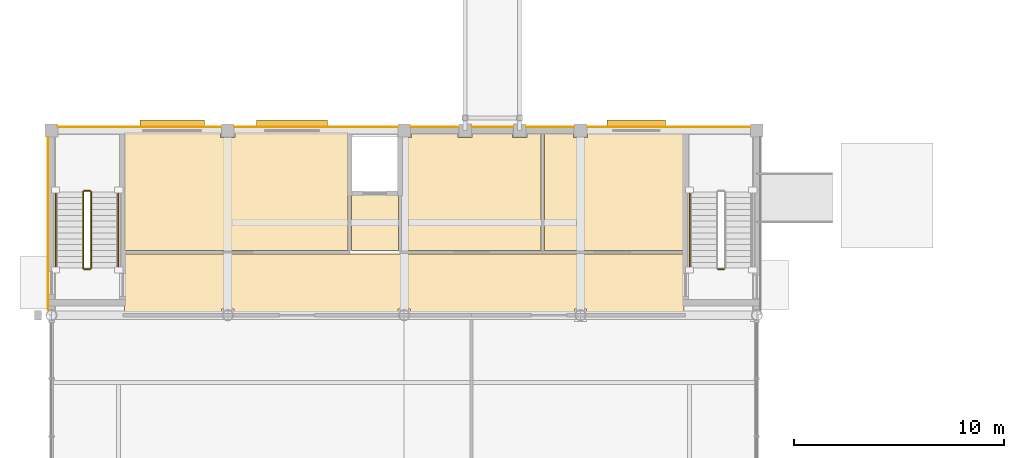
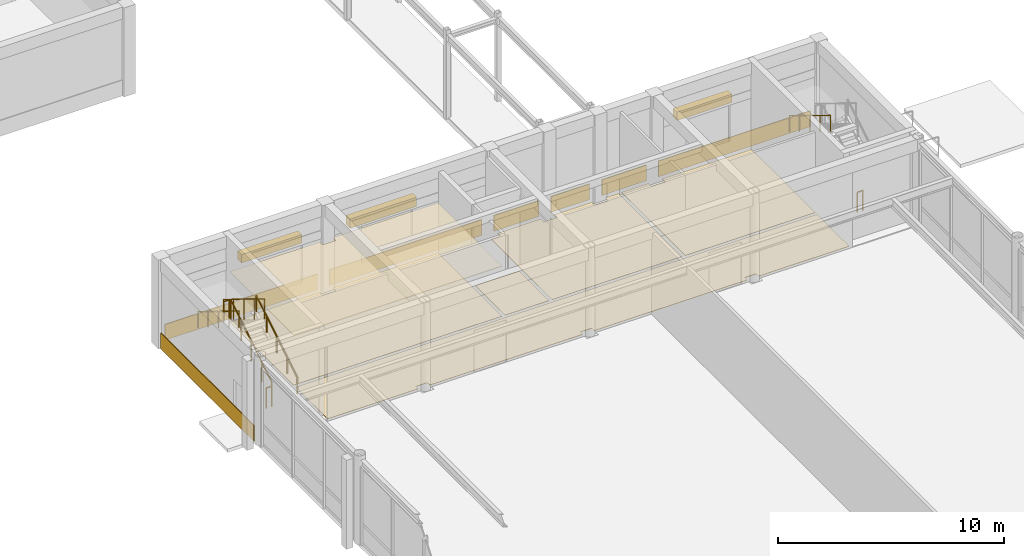
# One storey, part 45 of 58: 13 coverings, 8 railings, 3 shading devices.
"""IFC4 building model written with IfcOpenShell, lengths in metres."""

from ifc_helpers import new_model, si_unit, direction, frame, origin, origin_2d, place, context, subcontext, project, spatial, polyline, rectangle, circle, outline, extrude, material, layer, layer_set, type_object, element, save


model = new_model("IFC4")

# Units and contexts
model_context = context("Model", 3, precision=1e-05, world=origin(), true_north=direction((0.0, 1.0)))
body_context = subcontext(model_context, "Body", "Model", "MODEL_VIEW")
ifc_project = project(units=[si_unit("LENGTHUNIT", "METRE"), si_unit("AREAUNIT", "SQUARE_METRE"), si_unit("VOLUMEUNIT", "CUBIC_METRE"), si_unit("PLANEANGLEUNIT", "RADIAN"), si_unit("MASSUNIT", "GRAM", prefix="KILO")], contexts=[model_context])

# Site, building, storey
site_placement = place(None, origin())
site = spatial("IfcSite", under=ifc_project, at=site_placement, CompositionType="ELEMENT")
building_placement = place(site_placement, origin())
building = spatial("IfcBuilding", under=site, at=building_placement, Name="Kemercrest Conservatory and Botanical Centre", CompositionType="ELEMENT")
storey_placement = place(building_placement, origin())
storey = spatial("IfcBuildingStorey", under=building, at=storey_placement, Name="L00", CompositionType="ELEMENT", Elevation=0.0)

# Coverings
ifc_material_1 = material(Name="Honed limestone almasik ashlar rainscreen", Category="masonry")
ifc_layer_1 = layer(ifc_material_1, 0.0400390625)
ifc_layer_set_1 = layer_set([ifc_layer_1], Name="Honed limestone almasik ashlar rainscreen")
covering_type_1 = type_object("IfcCoveringType", Name="CV-CLD040", PredefinedType="CLADDING", material=ifc_layer_set_1)
covering_1_placement = place(storey_placement, origin())
element("IfcCovering", 1, at=covering_1_placement, inside=storey, type_object=covering_type_1, Name="Exterior stone spandrel cladding (WAL:L00:EXT-007)", PredefinedType="CLADDING", context=body_context, shape_type="SweptSolid", body=[
    extrude(outline(polyline([(41.2900390625, 60.949951171875), (41.2900390625, 60.989990234375), (33.510009765625, 60.989990234375), (33.510009765625, 60.949951171875), (41.2900390625, 60.949951171875)])), origin(), (0.0, 0.0, 1.0), 0.85009765625),
])
covering_2_placement = place(storey_placement, origin())
element("IfcCovering", 2, at=covering_2_placement, inside=storey, type_object=covering_type_1, Name="Exterior stone spandrel cladding (WAL:L00:EXT-008-S1)", PredefinedType="CLADDING", context=body_context, shape_type="SweptSolid", body=[
    extrude(outline(polyline([(32.889892578125, 60.949951171875), (32.889892578125, 60.989990234375), (30.610107421875, 60.989990234375), (30.610107421875, 60.949951171875), (32.889892578125, 60.949951171875)])), origin(), (0.0, 0.0, 1.0), 0.85009765625),
])
covering_3_placement = place(storey_placement, origin())
element("IfcCovering", 3, at=covering_3_placement, inside=storey, type_object=covering_type_1, Name="Exterior stone spandrel cladding (WAL:L00:EXT-008-S2)", PredefinedType="CLADDING", context=body_context, shape_type="SweptSolid", body=[
    extrude(outline(polyline([(29.989990234375, 60.949951171875), (29.989990234375, 60.989990234375), (28.010009765625, 60.989990234375), (28.010009765625, 60.949951171875), (29.989990234375, 60.949951171875)])), origin(), (0.0, 0.0, 1.0), 0.85009765625),
])
covering_4_placement = place(storey_placement, origin())
element("IfcCovering", 4, at=covering_4_placement, inside=storey, type_object=covering_type_1, Name="Exterior stone spandrel cladding (WAL:L00:EXT-008-S3)", PredefinedType="CLADDING", context=body_context, shape_type="SweptSolid", body=[
    extrude(outline(polyline([(27.389892578125, 60.949951171875), (27.389892578125, 60.989990234375), (25.110107421875, 60.989990234375), (25.110107421875, 60.949951171875), (27.389892578125, 60.949951171875)])), origin(), (0.0, 0.0, 1.0), 0.85009765625),
])
covering_5_placement = place(storey_placement, origin())
element("IfcCovering", 5, at=covering_5_placement, inside=storey, type_object=covering_type_1, Name="Exterior stone spandrel cladding (WAL:L00:EXT-009)", PredefinedType="CLADDING", context=body_context, shape_type="SweptSolid", body=[
    extrude(outline(polyline([(24.489990234375, 60.949951171875), (24.489990234375, 60.989990234375), (16.7099609375, 60.989990234375), (16.7099609375, 60.949951171875), (24.489990234375, 60.949951171875)])), origin(), (0.0, 0.0, 1.0), 0.85009765625),
])
covering_6_placement = place(storey_placement, origin())
element("IfcCovering", 6, at=covering_6_placement, inside=storey, type_object=covering_type_1, Name="Exterior stone spandrel cladding (WAL:L00:EXT-010)", PredefinedType="CLADDING", context=body_context, shape_type="SweptSolid", body=[
    extrude(outline(polyline([(16.090087890625, 60.949951171875), (16.090087890625, 60.989990234375), (8.31005859375, 60.989990234375), (8.31005859375, 60.949951171875), (16.090087890625, 60.949951171875)])), origin(), (0.0, 0.0, 1.0), 0.85009765625),
])
covering_7_placement = place(storey_placement, origin())
element("IfcCovering", 7, at=covering_7_placement, inside=storey, type_object=covering_type_1, Name="Exterior stone spandrel cladding (WAL:L00:EXT-011)", PredefinedType="CLADDING", context=body_context, shape_type="SweptSolid", body=[
    extrude(outline(polyline([(7.85009765625, 60.489990234375), (7.81005859375, 60.489990234375), (7.81005859375, 52.263916015625), (7.85009765625, 52.263916015625), (7.85009765625, 60.489990234375)])), origin(), (0.0, 0.0, 1.0), 0.85009765625),
])
ifc_material_2 = material(Name="Perforated acoustic gypsum and mineral-fibre suspended ceiling", Category="gypsum")
ifc_layer_2 = layer(ifc_material_2, 0.034912109375)
ifc_layer_set_2 = layer_set([ifc_layer_2], Name="Perforated acoustic gypsum and mineral-fibre suspended ceiling")
covering_type_2 = type_object("IfcCoveringType", Name="CV-CLG035", PredefinedType="CEILING", material=ifc_layer_set_2)
covering_8_placement = place(storey_placement, frame((0.0, 0.0, 2.699951171875)))
element("IfcCovering", 8, at=covering_8_placement, inside=storey, type_object=covering_type_2, Name="Horticultural Acclimatization Studio suspended acoustic ceiling", PredefinedType="CEILING", context=body_context, shape_type="SweptSolid", body=[
    extrude(outline(polyline([(11.47998046875, 55.080078125), (22.1201171875, 55.080078125), (22.1201171875, 60.719970703125), (16.739990234375, 60.719970703125), (16.739990234375, 60.4599609375), (16.06005859375, 60.4599609375), (16.06005859375, 60.719970703125), (11.47998046875, 60.719970703125), (11.47998046875, 55.080078125)])), origin(), (0.0, 0.0, 1.0), 0.03515625),
])
ifc_material_3 = material(Name="Polished limestone terrazzo and seamless laboratory epoxy flooring", Category="masonry")
ifc_layer_3 = layer(ifc_material_3, 0.02001953125)
ifc_layer_set_3 = layer_set([ifc_layer_3], Name="Polished limestone terrazzo and seamless laboratory epoxy flooring")
covering_type_3 = type_object("IfcCoveringType", Name="CV-FLR020", PredefinedType="FLOORING", material=ifc_layer_set_3)
covering_9_placement = place(storey_placement, origin())
element("IfcCovering", 9, at=covering_9_placement, inside=storey, type_object=covering_type_3, Name="Conservatory North Lobby Corridor terrazzo floor finish", PredefinedType="FLOORING", context=body_context, shape_type="SweptSolid", body=[
    extrude(outline(polyline([(33.493896484375, 52.080078125), (38.1201171875, 52.080078125), (38.1201171875, 54.919921875), (11.47998046875, 54.919921875), (11.47998046875, 52.080078125), (16.10595703125, 52.080078125), (16.10595703125, 52.2939453125), (16.694091796875, 52.2939453125), (16.694091796875, 52.080078125), (24.506103515625, 52.080078125), (24.506103515625, 52.2939453125), (25.093994140625, 52.2939453125), (25.093994140625, 52.080078125), (32.906005859375, 52.080078125), (32.906005859375, 52.2939453125), (33.493896484375, 52.2939453125), (33.493896484375, 52.080078125)])), origin(), (0.0, 0.0, 1.0), 0.02001953125),
])
covering_10_placement = place(storey_placement, origin())
element("IfcCovering", 10, at=covering_10_placement, inside=storey, type_object=covering_type_3, Name="Conservatory Lift Alcove terrazzo floor finish", PredefinedType="FLOORING", context=body_context, shape_type="SweptSolid", body=[
    extrude(outline(polyline([(22.280029296875, 55.080078125), (24.52001953125, 55.080078125), (24.52001953125, 57.719970703125), (22.280029296875, 57.719970703125), (22.280029296875, 55.080078125)])), origin(), (0.0, 0.0, 1.0), 0.02001953125),
])
covering_11_placement = place(storey_placement, origin())
element("IfcCovering", 11, at=covering_11_placement, inside=storey, type_object=covering_type_3, Name="Horticultural Acclimatization Studio floor finish", PredefinedType="FLOORING", context=body_context, shape_type="SweptSolid", body=[
    extrude(outline(polyline([(11.47998046875, 55.080078125), (22.1201171875, 55.080078125), (22.1201171875, 60.719970703125), (16.739990234375, 60.719970703125), (16.739990234375, 60.4599609375), (16.06005859375, 60.4599609375), (16.06005859375, 60.719970703125), (11.47998046875, 60.719970703125), (11.47998046875, 55.080078125)])), origin(), (0.0, 0.0, 1.0), 0.02001953125),
])
covering_12_placement = place(storey_placement, origin())
element("IfcCovering", 12, at=covering_12_placement, inside=storey, type_object=covering_type_3, Name="Conservatory Public Washroom terrazzo floor finish", PredefinedType="FLOORING", context=body_context, shape_type="SweptSolid", body=[
    extrude(outline(polyline([(24.679931640625, 55.080078125), (31.320068359375, 55.080078125), (31.320068359375, 60.719970703125), (30.639892578125, 60.719970703125), (30.639892578125, 60.4599609375), (29.9599609375, 60.4599609375), (29.9599609375, 60.719970703125), (28.0400390625, 60.719970703125), (28.0400390625, 60.4599609375), (27.360107421875, 60.4599609375), (27.360107421875, 60.719970703125), (25.139892578125, 60.719970703125), (25.139892578125, 60.4599609375), (24.679931640625, 60.4599609375), (24.679931640625, 55.080078125)])), origin(), (0.0, 0.0, 1.0), 0.02001953125),
])
covering_13_placement = place(storey_placement, origin())
element("IfcCovering", 13, at=covering_13_placement, inside=storey, type_object=covering_type_3, Name="Conservatory Accessible Washroom terrazzo floor finish", PredefinedType="FLOORING", context=body_context, shape_type="SweptSolid", body=[
    extrude(outline(polyline([(31.47998046875, 55.080078125), (38.1201171875, 55.080078125), (38.1201171875, 60.719970703125), (33.5400390625, 60.719970703125), (33.5400390625, 60.4599609375), (32.860107421875, 60.4599609375), (32.860107421875, 60.719970703125), (31.47998046875, 60.719970703125), (31.47998046875, 55.080078125)])), origin(), (0.0, 0.0, 1.0), 0.02001953125),
])

# Railings
ifc_material_4 = material(Name="Painted galvanized steel tubular stair guardrail", Category="steel")
railing_type_1 = type_object("IfcRailingType", Name="GR-STR110", PredefinedType="GUARDRAIL", material=ifc_material_4)
railing_1_placement = place(storey_placement, frame((9.889892578125, 54.239990234375, 0.17138671875)))
element("IfcRailing", 14, at=railing_1_placement, inside=storey, type_object=railing_type_1, Name="L00 ST-V1A stair guard 1", PredefinedType="GUARDRAIL", context=body_context, shape_type="SweptSolid", body=[
    extrude(circle(Radius=0.02392578125, at=origin_2d()), frame((0.0, 0.0, 1.076171875), z_axis=(0.0, 0.852850264322, 0.5221555579), x_axis=(-1.0, 0.0, 0.0)), (0.0, 0.0, 1.0), 4.267822265625),
    extrude(circle(Radius=0.02099609375, at=origin_2d()), origin(), (0.0, 0.0, 1.0), 1.052001953125),
    extrude(circle(Radius=0.02099609375, at=origin_2d()), frame((0.0, 0.909912109375, 0.55712890625)), (0.0, 0.0, 1.0), 1.052001953125),
    extrude(circle(Radius=0.02099609375, at=origin_2d()), frame((0.0, 1.81982421875, 1.1142578125)), (0.0, 0.0, 1.0), 1.052001953125),
    extrude(circle(Radius=0.02099609375, at=origin_2d()), frame((0.0, 2.72998046875, 1.67138671875)), (0.0, 0.0, 1.0), 1.052001953125),
    extrude(circle(Radius=0.02099609375, at=origin_2d()), frame((0.0, 3.639892578125, 2.228515625)), (0.0, 0.0, 1.0), 1.052001953125),
])
railing_2_placement = place(storey_placement, frame((9.840087890625, 57.929931640625, 2.39990234375)))
element("IfcRailing", 15, at=railing_2_placement, inside=storey, type_object=railing_type_1, Name="L00 ST-V1A stair guard 2", PredefinedType="GUARDRAIL", context=body_context, shape_type="SweptSolid", body=[
    extrude(circle(Radius=0.02392578125, at=origin_2d()), frame((0.0, 0.0, 1.076171875), z_axis=(-1.0, 0.0, 0.0), x_axis=(0.0, -1.0, 0.0)), (0.0, 0.0, 1.0), 0.280029296875),
    extrude(circle(Radius=0.02099609375, at=origin_2d()), origin(), (0.0, 0.0, 1.0), 1.052001953125),
    extrude(circle(Radius=0.02099609375, at=origin_2d()), frame((-0.280029296875, 0.0, 0.0)), (0.0, 0.0, 1.0), 1.052001953125),
])
railing_3_placement = place(storey_placement, frame((9.510009765625, 57.8798828125, 2.571533203125)))
element("IfcRailing", 16, at=railing_3_placement, inside=storey, type_object=railing_type_1, Name="L00 ST-V1A stair guard 3", PredefinedType="GUARDRAIL", context=body_context, shape_type="SweptSolid", body=[
    extrude(circle(Radius=0.02392578125, at=origin_2d()), frame((0.0, 0.0, 1.076171875), z_axis=(0.0, -0.852850264322, 0.5221555579), x_axis=(1.0, 0.0, 0.0)), (0.0, 0.0, 1.0), 4.267822265625),
    extrude(circle(Radius=0.02099609375, at=origin_2d()), origin(), (0.0, 0.0, 1.0), 1.052001953125),
    extrude(circle(Radius=0.02099609375, at=origin_2d()), frame((0.0, -0.909912109375, 0.55712890625)), (0.0, 0.0, 1.0), 1.052001953125),
    extrude(circle(Radius=0.02099609375, at=origin_2d()), frame((0.0, -1.81982421875, 1.1142578125)), (0.0, 0.0, 1.0), 1.052001953125),
    extrude(circle(Radius=0.02099609375, at=origin_2d()), frame((0.0, -2.72998046875, 1.67138671875)), (0.0, 0.0, 1.0), 1.052001953125),
    extrude(circle(Radius=0.02099609375, at=origin_2d()), frame((0.0, -3.639892578125, 2.228515625)), (0.0, 0.0, 1.0), 1.052001953125),
])
for number, where, name in (
    (17, (9.840087890625, 54.18994140625, 0.0), "L00 ST-V1A stair guard 4"),
    (18, (40.0400390625, 54.18994140625, 0.0), "L00 ST-V1B stair guard 4"),
):
    element("IfcRailing", number, at=place(storey_placement, frame(where)), inside=storey, type_object=railing_type_1, Name=name, PredefinedType="GUARDRAIL", context=body_context, shape_type="SweptSolid", body=[
        extrude(circle(Radius=0.02392578125, at=origin_2d()), frame((0.0, 0.0, 1.076171875), z_axis=(-1.0, 0.0, 0.0), x_axis=(0.0, -1.0, 0.0)), (0.0, 0.0, 1.0), 0.280029296875),
        extrude(circle(Radius=0.02099609375, at=origin_2d()), origin(), (0.0, 0.0, 1.0), 1.052001953125),
        extrude(circle(Radius=0.02099609375, at=origin_2d()), frame((-0.280029296875, 0.0, 0.0)), (0.0, 0.0, 1.0), 1.052001953125),
    ])
ifc_material_5 = material(Name="Brushed stainless steel wall-mounted handrail", Category="steel")
railing_type_2 = type_object("IfcRailingType", Name="HR-STR090", PredefinedType="HANDRAIL", material=ifc_material_5)
railing_4_placement = place(storey_placement, frame((11.18994140625, 54.239990234375, 0.17138671875)))
element("IfcRailing", 19, at=railing_4_placement, inside=storey, type_object=railing_type_2, Name="L00 ST-V1A stair handrail 1", PredefinedType="HANDRAIL", context=body_context, shape_type="SweptSolid", body=[
    extrude(circle(Radius=0.02392578125, at=origin_2d()), frame((0.0, 0.0, 0.8759765625), z_axis=(0.0, 0.852850264322, 0.5221555579), x_axis=(-1.0, 0.0, 0.0)), (0.0, 0.0, 1.0), 4.267822265625),
    extrude(circle(Radius=0.02099609375, at=origin_2d()), origin(), (0.0, 0.0, 1.0), 0.851806640625),
    extrude(circle(Radius=0.02099609375, at=origin_2d()), frame((0.0, 0.909912109375, 0.55712890625)), (0.0, 0.0, 1.0), 0.851806640625),
    extrude(circle(Radius=0.02099609375, at=origin_2d()), frame((0.0, 1.81982421875, 1.1142578125)), (0.0, 0.0, 1.0), 0.851806640625),
    extrude(circle(Radius=0.02099609375, at=origin_2d()), frame((0.0, 2.72998046875, 1.67138671875)), (0.0, 0.0, 1.0), 0.851806640625),
    extrude(circle(Radius=0.02099609375, at=origin_2d()), frame((0.0, 3.639892578125, 2.228515625)), (0.0, 0.0, 1.0), 0.851806640625),
])
for number, where, name in (
    (20, (8.2099609375, 57.8798828125, 2.571533203125), "L00 ST-V1A stair handrail 2"),
    (21, (38.409912109375, 57.8798828125, 2.571533203125), "L00 ST-V1B stair handrail 2"),
):
    element("IfcRailing", number, at=place(storey_placement, frame(where)), inside=storey, type_object=railing_type_2, Name=name, PredefinedType="HANDRAIL", context=body_context, shape_type="SweptSolid", body=[
        extrude(circle(Radius=0.02392578125, at=origin_2d()), frame((0.0, 0.0, 0.8759765625), z_axis=(0.0, -0.852850264322, 0.5221555579), x_axis=(1.0, 0.0, 0.0)), (0.0, 0.0, 1.0), 4.267822265625),
        extrude(circle(Radius=0.02099609375, at=origin_2d()), origin(), (0.0, 0.0, 1.0), 0.851806640625),
        extrude(circle(Radius=0.02099609375, at=origin_2d()), frame((0.0, -0.909912109375, 0.55712890625)), (0.0, 0.0, 1.0), 0.851806640625),
        extrude(circle(Radius=0.02099609375, at=origin_2d()), frame((0.0, -1.81982421875, 1.1142578125)), (0.0, 0.0, 1.0), 0.851806640625),
        extrude(circle(Radius=0.02099609375, at=origin_2d()), frame((0.0, -2.72998046875, 1.67138671875)), (0.0, 0.0, 1.0), 0.851806640625),
        extrude(circle(Radius=0.02099609375, at=origin_2d()), frame((0.0, -3.639892578125, 2.228515625)), (0.0, 0.0, 1.0), 0.851806640625),
    ])

# Shading devices
ifc_material_6 = material(Name="Architectural bronze-anodized extruded aluminium", Category="aluminium")
shading_device_type_1 = type_object("IfcShadingDeviceType", Name="SH-JL01", PredefinedType="JALOUSIE", material=ifc_material_6)
shading_device_1_placement = place(storey_placement, frame((13.7451171875, 61.123046875, 2.80517578125), z_axis=(0.0, 0.0, 1.0), x_axis=(-1.0, 0.0, 0.0)))
element("IfcShadingDevice", 22, at=shading_device_1_placement, inside=storey, type_object=shading_device_type_1, Name="Solar control louvre visor SH-JL01 (WIN:L00:EXT-010)", PredefinedType="JALOUSIE", context=body_context, shape_type="SweptSolid", body=[
    extrude(rectangle(XDim=3.080078125, YDim=0.35009765625, at=origin_2d()), origin(), (0.0, 0.0, 1.0), 0.449951171875),
])
shading_device_type_2 = type_object("IfcShadingDeviceType", Name="SH-JL03", PredefinedType="JALOUSIE", material=ifc_material_6)
shading_device_2_placement = place(storey_placement, frame((35.85498046875, 61.123046875, 2.705078125), z_axis=(0.0, 0.0, 1.0), x_axis=(-1.0, 0.0, 0.0)))
element("IfcShadingDevice", 23, at=shading_device_2_placement, inside=storey, type_object=shading_device_type_2, Name="Solar control louvre visor SH-JL03 (WIN:L00:EXT-007)", PredefinedType="JALOUSIE", context=body_context, shape_type="SweptSolid", body=[
    extrude(rectangle(XDim=2.800048828125, YDim=0.35009765625, at=origin_2d()), origin(), (0.0, 0.0, 1.0), 0.449951171875),
])
shading_device_type_3 = type_object("IfcShadingDeviceType", Name="SH-JL05", PredefinedType="JALOUSIE", material=ifc_material_6)
shading_device_3_placement = place(storey_placement, frame((19.455078125, 61.123046875, 2.72998046875), z_axis=(0.0, 0.0, 1.0), x_axis=(-1.0, 0.0, 0.0)))
element("IfcShadingDevice", 24, at=shading_device_3_placement, inside=storey, type_object=shading_device_type_3, Name="Solar control louvre visor SH-JL05 (WIN:L00:EXT-009)", PredefinedType="JALOUSIE", context=body_context, shape_type="SweptSolid", body=[
    extrude(rectangle(XDim=3.39990234375, YDim=0.35009765625, at=origin_2d()), origin(), (0.0, 0.0, 1.0), 0.5),
])

save(model, "model.ifc")
